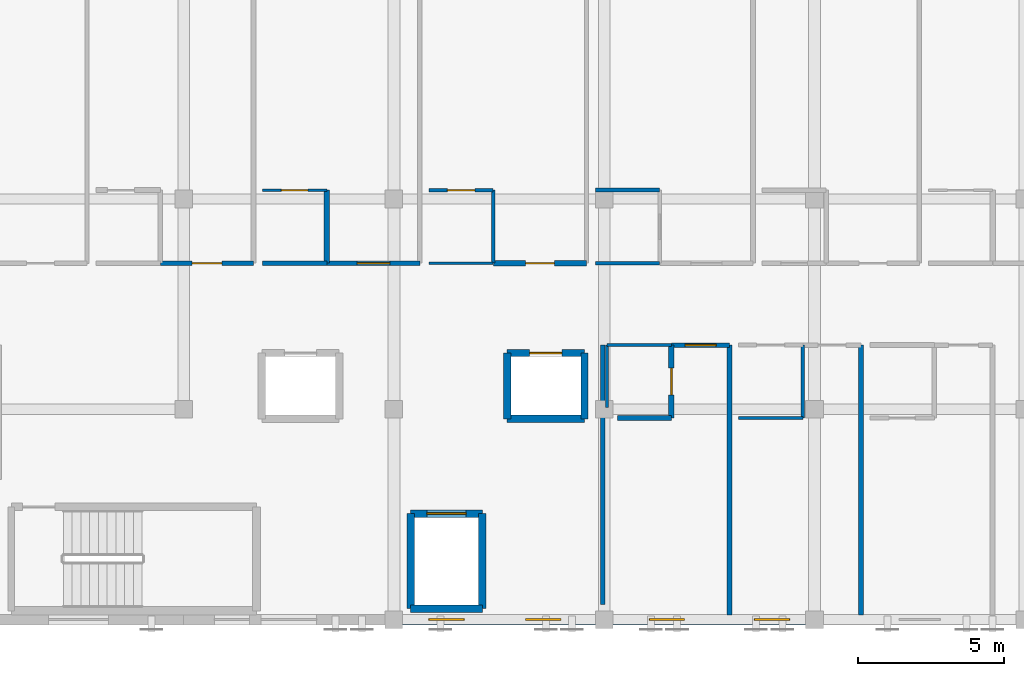
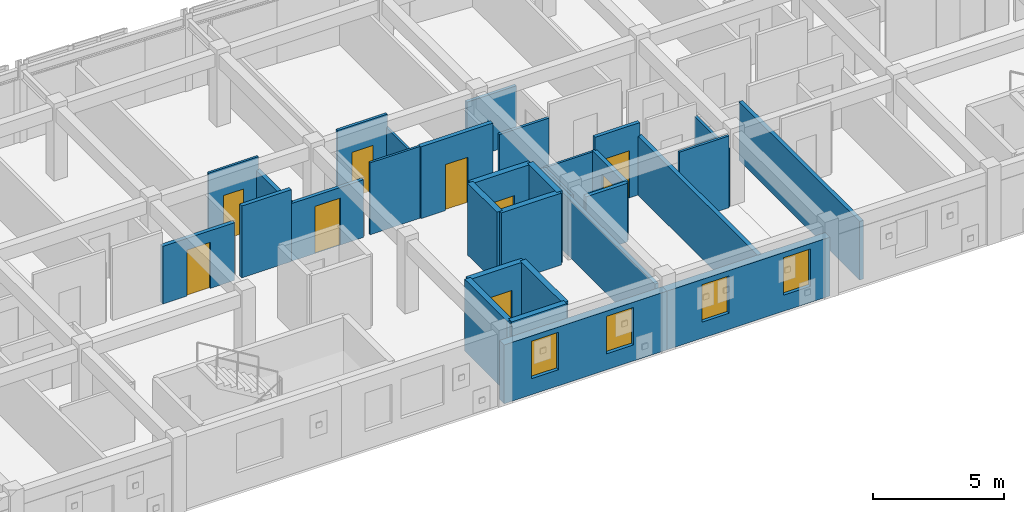
# One storey, part 43 of 51: 31 walls, 9 doors, 4 windows, 13 openings.
"""IFC4 building model written with IfcOpenShell, lengths in metres."""

from ifc_helpers import new_model, si_unit, direction, frame, frame_2d, origin, place, context, subcontext, project, spatial, rectangle, extrude, material, layer, layer_set, type_object, element, fill, save


model = new_model("IFC4")

# Units and contexts
model_context = context("Model", 3, precision=1e-05, world=origin(), true_north=direction((0.0, 1.0)))
body_context = subcontext(model_context, "Body", "Model", "MODEL_VIEW")
ifc_project = project(units=[si_unit("LENGTHUNIT", "METRE"), si_unit("AREAUNIT", "SQUARE_METRE"), si_unit("VOLUMEUNIT", "CUBIC_METRE"), si_unit("PLANEANGLEUNIT", "RADIAN"), si_unit("MASSUNIT", "GRAM", prefix="KILO")], contexts=[model_context])

# Site, building, storey
site_placement = place(None, origin())
site = spatial("IfcSite", under=ifc_project, at=site_placement, CompositionType="ELEMENT")
building_placement = place(site_placement, origin())
building = spatial("IfcBuilding", under=site, at=building_placement, Name="Carrowvane Square Congress Hotel", CompositionType="ELEMENT")
storey_placement = place(building_placement, frame((0.0, 0.0, 30.0)))
storey = spatial("IfcBuildingStorey", under=building, at=storey_placement, Name="L07", CompositionType="ELEMENT", Elevation=30.0)

# Wall, openings, windows
ifc_material_1 = material(Name="Glazed terracotta rainscreen", Category="masonry")
ifc_layer_1 = layer(ifc_material_1, 0.360107421875)
ifc_layer_set_1 = layer_set([ifc_layer_1], Name="Glazed terracotta rainscreen")
wall_type_1 = type_object("IfcWallType", Name="WL-EXT-TC360", PredefinedType="STANDARD", material=ifc_layer_set_1)
wall_1_placement = place(storey_placement, frame((126.800048828125, 91.800048828125, 0.0), z_axis=(0.0, 0.0, 1.0), x_axis=(-1.0, 0.0, 0.0)))
wall_1 = element("IfcWall", 1, at=wall_1_placement, inside=storey, type_object=wall_type_1, Name="L07 exterior facade wall 519", PredefinedType="STANDARD", context=body_context, shape_type="SweptSolid", body=[
    extrude(rectangle(XDim=7.199951171875, YDim=0.360107421875, at=frame_2d((3.60009765625, 0.0))), origin(), (0.0, 0.0, 1.0), 2.7451171875),
])
opening_1_placement = place(wall_1_placement, frame((0.85498046875, 0.0, 0.75)))
opening_1 = element("IfcOpeningElement", 2, at=opening_1_placement, cuts=wall_1, Name="Opening W-01", PredefinedType="OPENING", context=body_context, shape_type="SweptSolid", body=[
    extrude(rectangle(XDim=1.199951171875, YDim=1.75, at=frame_2d((0.60009765625, 0.875))), frame((0.0, 0.18994140625, 0.0), z_axis=(0.0, -1.0, 0.0), x_axis=(1.0, 0.0, 0.0)), (0.0, 0.0, 1.0), 0.380126953125),
])
opening_2_placement = place(wall_1_placement, frame((4.455078125, 0.0, 0.75)))
opening_2 = element("IfcOpeningElement", 3, at=opening_2_placement, cuts=wall_1, Name="Opening W-01", PredefinedType="OPENING", context=body_context, shape_type="SweptSolid", body=[
    extrude(rectangle(XDim=1.199951171875, YDim=1.75, at=frame_2d((0.60009765625, 0.875))), frame((0.0, 0.18994140625, 0.0), z_axis=(0.0, -1.0, 0.0), x_axis=(1.0, 0.0, 0.0)), (0.0, 0.0, 1.0), 0.380126953125),
])
ifc_material_2 = material(Name="Double-glazed low-E glass", Category="glass")
window_type = type_object("IfcWindowType", Name="WIN-01", PartitioningType="SINGLE_PANEL", PredefinedType="WINDOW", material=ifc_material_2)
window_1_placement = place(opening_1_placement, origin())
window_1 = element("IfcWindow", 4, at=window_1_placement, inside=storey, type_object=window_type, Name="L07 facade window 353", OverallHeight=1.75, OverallWidth=1.199951171875, PartitioningType="SINGLE_PANEL", PredefinedType="WINDOW", context=body_context, shape_type="SweptSolid", body=[
    extrude(rectangle(XDim=1.199951171875, YDim=1.75, at=frame_2d((0.60009765625, 0.875))), frame((0.0, 0.030029296875, 0.0), z_axis=(0.0, -1.0, 0.0), x_axis=(1.0, 0.0, 0.0)), (0.0, 0.0, 1.0), 0.06005859375),
])
fill(opening_1, window_1)
window_2_placement = place(opening_2_placement, origin())
window_2 = element("IfcWindow", 5, at=window_2_placement, inside=storey, type_object=window_type, Name="L07 split-bay facade window WIN-L07-0353-1", OverallHeight=1.75, OverallWidth=1.199951171875, PartitioningType="SINGLE_PANEL", PredefinedType="WINDOW", context=body_context, shape_type="SweptSolid", body=[
    extrude(rectangle(XDim=1.199951171875, YDim=1.75, at=frame_2d((0.60009765625, 0.875))), frame((0.0, 0.030029296875, 0.0), z_axis=(0.0, -1.0, 0.0), x_axis=(1.0, 0.0, 0.0)), (0.0, 0.0, 1.0), 0.06005859375),
])
fill(opening_2, window_2)

wall_2_placement = place(storey_placement, frame((119.60009765625, 91.800048828125, 0.0), z_axis=(0.0, 0.0, 1.0), x_axis=(-1.0, 0.0, 0.0)))
wall_2 = element("IfcWall", 6, at=wall_2_placement, inside=storey, type_object=wall_type_1, Name="L07 exterior facade wall 520", PredefinedType="STANDARD", context=body_context, shape_type="SweptSolid", body=[
    extrude(rectangle(XDim=7.2001953125, YDim=0.360107421875, at=frame_2d((3.60009765625, 0.0))), origin(), (0.0, 0.0, 1.0), 2.7451171875),
])
opening_3_placement = place(wall_2_placement, frame((1.487548828125, 0.0, 0.75)))
opening_3 = element("IfcOpeningElement", 7, at=opening_3_placement, cuts=wall_2, Name="Opening W-01", PredefinedType="OPENING", context=body_context, shape_type="SweptSolid", body=[
    extrude(rectangle(XDim=1.199951171875, YDim=1.75, at=frame_2d((0.60009765625, 0.875))), frame((0.0, 0.18994140625, 0.0), z_axis=(0.0, -1.0, 0.0), x_axis=(1.0, 0.0, 0.0)), (0.0, 0.0, 1.0), 0.380126953125),
])
opening_4_placement = place(wall_2_placement, frame((4.800048828125, 0.0, 0.75)))
opening_4 = element("IfcOpeningElement", 8, at=opening_4_placement, cuts=wall_2, Name="Opening W-01", PredefinedType="OPENING", context=body_context, shape_type="SweptSolid", body=[
    extrude(rectangle(XDim=1.199951171875, YDim=1.75, at=frame_2d((0.60009765625, 0.875))), frame((0.0, 0.18994140625, 0.0), z_axis=(0.0, -1.0, 0.0), x_axis=(1.0, 0.0, 0.0)), (0.0, 0.0, 1.0), 0.380126953125),
])
window_3_placement = place(opening_3_placement, origin())
window_3 = element("IfcWindow", 9, at=window_3_placement, inside=storey, type_object=window_type, Name="L07 facade window 354", OverallHeight=1.75, OverallWidth=1.199951171875, PartitioningType="SINGLE_PANEL", PredefinedType="WINDOW", context=body_context, shape_type="SweptSolid", body=[
    extrude(rectangle(XDim=1.199951171875, YDim=1.75, at=frame_2d((0.60009765625, 0.875))), frame((0.0, 0.030029296875, 0.0), z_axis=(0.0, -1.0, 0.0), x_axis=(1.0, 0.0, 0.0)), (0.0, 0.0, 1.0), 0.06005859375),
])
fill(opening_3, window_3)
window_4_placement = place(opening_4_placement, origin())
window_4 = element("IfcWindow", 10, at=window_4_placement, inside=storey, type_object=window_type, Name="L07 split-bay facade window WIN-L07-0354-1", OverallHeight=1.75, OverallWidth=1.199951171875, PartitioningType="SINGLE_PANEL", PredefinedType="WINDOW", context=body_context, shape_type="SweptSolid", body=[
    extrude(rectangle(XDim=1.199951171875, YDim=1.75, at=frame_2d((0.60009765625, 0.875))), frame((0.0, 0.030029296875, 0.0), z_axis=(0.0, -1.0, 0.0), x_axis=(1.0, 0.0, 0.0)), (0.0, 0.0, 1.0), 0.06005859375),
])
fill(opening_4, window_4)

# Wall, opening, door
ifc_material_3 = material(Name="Acoustic gypsum board", Category="gypsum")
ifc_layer_2 = layer(ifc_material_3, 0.155029296875)
ifc_layer_set_2 = layer_set([ifc_layer_2], Name="Acoustic gypsum board")
wall_type_2 = type_object("IfcWallType", Name="WL-FIR-155", PredefinedType="PARTITIONING", material=ifc_layer_set_2)
wall_3_placement = place(storey_placement, frame((121.909912109375, 101.199951171875, 0.0), z_axis=(0.0, 0.0, 1.0), x_axis=(1.0, 0.0, 0.0)))
wall_3 = element("IfcWall", 11, at=wall_3_placement, inside=storey, type_object=wall_type_2, Name="L07 Hotel Guest Bedroom 0707 partition", PredefinedType="PARTITIONING", context=body_context, shape_type="SweptSolid", body=[
    extrude(rectangle(XDim=1.97998046875, YDim=0.155029296875, at=frame_2d((0.989990234375, 0.0))), origin(), (0.0, 0.0, 1.0), 3.360107421875),
])
opening_5_placement = place(wall_3_placement, frame((0.4599609375, 0.0, 0.0)))
opening_5 = element("IfcOpeningElement", 12, at=opening_5_placement, cuts=wall_3, Name="Opening FD-09", PredefinedType="OPENING", context=body_context, shape_type="SweptSolid", body=[
    extrude(rectangle(XDim=1.06005859375, YDim=2.199951171875, at=frame_2d((0.530029296875, 1.10009765625))), frame((0.0, 0.08740234375, 0.0), z_axis=(0.0, -1.0, 0.0), x_axis=(1.0, 0.0, 0.0)), (0.0, 0.0, 1.0), 0.175048828125),
])
ifc_material_4 = material(Name="European oak timber", Category="wood")
door_type_1 = type_object("IfcDoorType", Name="DR-FD30-1060x2200", OperationType="NOTDEFINED", PredefinedType="DOOR", material=ifc_material_4)
door_1_placement = place(opening_5_placement, origin())
door_1 = element("IfcDoor", 13, at=door_1_placement, inside=storey, type_object=door_type_1, Name="L07 Hotel Guest Bedroom 0707 entrance door", OperationType="SINGLE_SWING_RIGHT", OverallHeight=2.199951171875, OverallWidth=1.06005859375, PredefinedType="DOOR", context=body_context, shape_type="SweptSolid", body=[
    extrude(rectangle(XDim=1.06005859375, YDim=2.199951171875, at=frame_2d((0.530029296875, 1.10009765625))), frame((0.0, 0.02490234375, 0.0), z_axis=(0.0, -1.0, 0.0), x_axis=(1.0, 0.0, 0.0)), (0.0, 0.0, 1.0), 0.050048828125),
])
fill(opening_5, door_1)

# Walls
ifc_material_5 = material(Name="Acoustic gypsum board", Category="gypsum")
ifc_layer_3 = layer(ifc_material_5, 0.169921875)
ifc_layer_set_3 = layer_set([ifc_layer_3], Name="Acoustic gypsum board")
wall_type_3 = type_object("IfcWallType", Name="WL-FIR-170", PredefinedType="PARTITIONING", material=ifc_layer_set_3)
wall_4_placement = place(storey_placement, frame((121.89990234375, 98.699951171875, 0.0), z_axis=(0.0, 0.0, 1.0), x_axis=(-1.0, 0.0, 0.0)))
element("IfcWall", 14, at=wall_4_placement, inside=storey, type_object=wall_type_3, Name="L07 En-suite Bathroom 0707 partition", PredefinedType="PARTITIONING", context=body_context, shape_type="SweptSolid", body=[
    extrude(rectangle(XDim=1.83984375, YDim=0.169921875, at=frame_2d((0.919921875, 0.0))), origin(), (0.0, 0.0, 1.0), 2.7451171875),
])
wall_5_placement = place(storey_placement, frame((119.550048828125, 92.320068359375, 0.0), z_axis=(0.0, 0.0, 1.0), x_axis=(0.0, 1.0, 0.0)))
element("IfcWall", 15, at=wall_5_placement, inside=storey, type_object=wall_type_3, Name="L07 Hotel Guest Bedroom 0707 partition", PredefinedType="PARTITIONING", context=body_context, shape_type="SweptSolid", body=[
    extrude(rectangle(XDim=8.8798828125, YDim=0.169921875, at=frame_2d((4.43994140625, 0.0))), origin(), (0.0, 0.0, 1.0), 2.695068359375),
])
wall_6_placement = place(storey_placement, frame((128.389892578125, 101.199951171875, 0.0), z_axis=(0.0, 0.0, 1.0), x_axis=(0.0, -1.0, 0.0)))
element("IfcWall", 16, at=wall_6_placement, inside=storey, type_object=wall_type_3, Name="L07 Hotel Guest Bedroom 0708 partition", PredefinedType="PARTITIONING", context=body_context, shape_type="SweptSolid", body=[
    extrude(rectangle(XDim=9.239990234375, YDim=0.169921875, at=frame_2d((4.6201171875, 0.0))), origin(), (0.0, 0.0, 1.0), 2.7451171875),
])

# Wall, opening, door
wall_7_placement = place(storey_placement, frame((107.590087890625, 104.0, 0.0), z_axis=(0.0, 0.0, 1.0), x_axis=(-1.0, 0.0, 0.0)))
wall_7 = element("IfcWall", 17, at=wall_7_placement, inside=storey, type_object=wall_type_3, Name="L07 Parkview Suite 0719 partition", PredefinedType="PARTITIONING", context=body_context, shape_type="SweptSolid", body=[
    extrude(rectangle(XDim=3.18017578125, YDim=0.169921875, at=frame_2d((1.590087890625, 0.0))), origin(), (0.0, 0.0, 1.0), 2.695068359375),
])
opening_6_placement = place(wall_7_placement, frame((1.080078125, 0.0, 0.0)))
opening_6 = element("IfcOpeningElement", 18, at=opening_6_placement, cuts=wall_7, Name="Opening FD-08", PredefinedType="OPENING", context=body_context, shape_type="SweptSolid", body=[
    extrude(rectangle(XDim=1.02001953125, YDim=2.14990234375, at=frame_2d((0.510009765625, 1.074951171875))), frame((0.0, 0.094970703125, 0.0), z_axis=(0.0, -1.0, 0.0), x_axis=(1.0, 0.0, 0.0)), (0.0, 0.0, 1.0), 0.18994140625),
])
ifc_material_6 = material(Name="European oak timber", Category="wood")
door_type_2 = type_object("IfcDoorType", Name="DR-FD30-1020x2150", OperationType="NOTDEFINED", PredefinedType="DOOR", material=ifc_material_6)
door_2_placement = place(opening_6_placement, origin())
door_2 = element("IfcDoor", 19, at=door_2_placement, inside=storey, type_object=door_type_2, Name="L07 Parkview Suite 0719 entrance door", OperationType="SINGLE_SWING_RIGHT", OverallHeight=2.14990234375, OverallWidth=1.02001953125, PredefinedType="DOOR", context=body_context, shape_type="SweptSolid", body=[
    extrude(rectangle(XDim=1.02001953125, YDim=2.14990234375, at=frame_2d((0.510009765625, 1.074951171875))), frame((0.0, 0.02490234375, 0.0), z_axis=(0.0, -1.0, 0.0), x_axis=(1.0, 0.0, 0.0)), (0.0, 0.0, 1.0), 0.050048828125),
])
fill(opening_6, door_2)

# Wall
wall_8_placement = place(storey_placement, frame((110.10009765625, 104.0, 0.0), z_axis=(0.0, 0.0, 1.0), x_axis=(-1.0, 0.0, 0.0)))
element("IfcWall", 20, at=wall_8_placement, inside=storey, type_object=wall_type_3, Name="L07 En-suite Bathroom 0720 partition", PredefinedType="PARTITIONING", context=body_context, shape_type="SweptSolid", body=[
    extrude(rectangle(XDim=2.2001953125, YDim=0.169921875, at=frame_2d((1.10009765625, 0.0))), origin(), (0.0, 0.0, 1.0), 3.360107421875),
])

# Wall, opening, door
ifc_material_7 = material(Name="Acoustic gypsum board", Category="gypsum")
ifc_layer_4 = layer(ifc_material_7, 0.18505859375)
ifc_layer_set_4 = layer_set([ifc_layer_4], Name="Acoustic gypsum board")
wall_type_4 = type_object("IfcWallType", Name="WL-FIR-185", PredefinedType="PARTITIONING", material=ifc_layer_set_4)
wall_9_placement = place(storey_placement, frame((121.89990234375, 101.199951171875, 0.0), z_axis=(0.0, 0.0, 1.0), x_axis=(0.0, -1.0, 0.0)))
wall_9 = element("IfcWall", 21, at=wall_9_placement, inside=storey, type_object=wall_type_4, Name="L07 En-suite Bathroom 0707 partition", PredefinedType="PARTITIONING", context=body_context, shape_type="SweptSolid", body=[
    extrude(rectangle(XDim=2.5, YDim=0.18505859375, at=frame_2d((1.25, 0.0))), origin(), (0.0, 0.0, 1.0), 2.7451171875),
])
opening_7_placement = place(wall_9_placement, frame((0.7900390625, 0.0, 0.0)))
opening_7 = element("IfcOpeningElement", 22, at=opening_7_placement, cuts=wall_9, Name="Opening ID-03", PredefinedType="OPENING", context=body_context, shape_type="SweptSolid", body=[
    extrude(rectangle(XDim=0.919921875, YDim=2.10009765625, at=frame_2d((0.4599609375, 1.050048828125))), frame((0.0, 0.1025390625, 0.0), z_axis=(0.0, -1.0, 0.0), x_axis=(1.0, 0.0, 0.0)), (0.0, 0.0, 1.0), 0.205078125),
])
ifc_material_8 = material(Name="European oak timber", Category="wood")
door_type_3 = type_object("IfcDoorType", Name="DR-INT-0920x2100", OperationType="NOTDEFINED", PredefinedType="DOOR", material=ifc_material_8)
door_3_placement = place(opening_7_placement, origin())
door_3 = element("IfcDoor", 23, at=door_3_placement, inside=storey, type_object=door_type_3, Name="L07 En-suite Bathroom 0707 door", OperationType="SINGLE_SWING_LEFT", OverallHeight=2.10009765625, OverallWidth=0.919921875, PredefinedType="DOOR", context=body_context, shape_type="SweptSolid", body=[
    extrude(rectangle(XDim=0.919921875, YDim=2.10009765625, at=frame_2d((0.4599609375, 1.050048828125))), frame((0.0, 0.02490234375, 0.0), z_axis=(0.0, -1.0, 0.0), x_axis=(1.0, 0.0, 0.0)), (0.0, 0.0, 1.0), 0.050048828125),
])
fill(opening_7, door_3)

# Walls
wall_10_placement = place(storey_placement, frame((123.889892578125, 101.199951171875, 0.0), z_axis=(0.0, 0.0, 1.0), x_axis=(0.0, -1.0, 0.0)))
element("IfcWall", 24, at=wall_10_placement, inside=storey, type_object=wall_type_4, Name="L07 Hotel Guest Bedroom 0707 partition", PredefinedType="PARTITIONING", context=body_context, shape_type="SweptSolid", body=[
    extrude(rectangle(XDim=9.239990234375, YDim=0.18505859375, at=frame_2d((4.6201171875, 0.0))), origin(), (0.0, 0.0, 1.0), 2.7451171875),
])
wall_11_placement = place(storey_placement, frame((110.10009765625, 106.5, 0.0), z_axis=(0.0, 0.0, 1.0), x_axis=(0.0, -1.0, 0.0)))
element("IfcWall", 25, at=wall_11_placement, inside=storey, type_object=wall_type_4, Name="L07 En-suite Bathroom 0720 partition", PredefinedType="PARTITIONING", context=body_context, shape_type="SweptSolid", body=[
    extrude(rectangle(XDim=2.5, YDim=0.18505859375, at=frame_2d((1.25, 0.0))), origin(), (0.0, 0.0, 1.0), 2.7451171875),
])

# Wall, opening, door
wall_12_placement = place(storey_placement, frame((118.989990234375, 104.0, 0.0), z_axis=(0.0, 0.0, 1.0), x_axis=(-1.0, 0.0, 0.0)))
wall_12 = element("IfcWall", 26, at=wall_12_placement, inside=storey, type_object=wall_type_4, Name="L07 Parkview Suite 0721 partition", PredefinedType="PARTITIONING", context=body_context, shape_type="SweptSolid", body=[
    extrude(rectangle(XDim=3.179931640625, YDim=0.18505859375, at=frame_2d((1.58984375, 0.0))), origin(), (0.0, 0.0, 1.0), 3.360107421875),
])
opening_8_placement = place(wall_12_placement, frame((1.10009765625, 0.0, 0.0)))
opening_8 = element("IfcOpeningElement", 27, at=opening_8_placement, cuts=wall_12, Name="Opening FD-07", PredefinedType="OPENING", context=body_context, shape_type="SweptSolid", body=[
    extrude(rectangle(XDim=0.97998046875, YDim=2.14990234375, at=frame_2d((0.489990234375, 1.074951171875))), frame((0.0, 0.1025390625, 0.0), z_axis=(0.0, -1.0, 0.0), x_axis=(1.0, 0.0, 0.0)), (0.0, 0.0, 1.0), 0.205078125),
])
ifc_material_9 = material(Name="European oak timber", Category="wood")
door_type_4 = type_object("IfcDoorType", Name="DR-FD30-0980x2150", OperationType="NOTDEFINED", PredefinedType="DOOR", material=ifc_material_9)
door_4_placement = place(opening_8_placement, origin())
door_4 = element("IfcDoor", 28, at=door_4_placement, inside=storey, type_object=door_type_4, Name="L07 Parkview Suite 0721 entrance door", OperationType="SINGLE_SWING_RIGHT", OverallHeight=2.14990234375, OverallWidth=0.97998046875, PredefinedType="DOOR", context=body_context, shape_type="SweptSolid", body=[
    extrude(rectangle(XDim=0.97998046875, YDim=2.14990234375, at=frame_2d((0.489990234375, 1.074951171875))), frame((0.0, 0.02490234375, 0.0), z_axis=(0.0, -1.0, 0.0), x_axis=(1.0, 0.0, 0.0)), (0.0, 0.0, 1.0), 0.050048828125),
])
fill(opening_8, door_4)

# Wall
ifc_material_10 = material(Name="Acoustic gypsum board", Category="gypsum")
ifc_layer_5 = layer(ifc_material_10, 0.097900390625)
ifc_layer_set_5 = layer_set([ifc_layer_5], Name="Acoustic gypsum board")
wall_type_5 = type_object("IfcWallType", Name="WL-PRT-098", PredefinedType="PARTITIONING", material=ifc_layer_set_5)
wall_13_placement = place(storey_placement, frame((119.699951171875, 101.199951171875, 0.0), z_axis=(0.0, 0.0, 1.0), x_axis=(1.0, 0.0, 0.0)))
element("IfcWall", 29, at=wall_13_placement, inside=storey, type_object=wall_type_5, Name="L07 En-suite Bathroom 0707 partition", PredefinedType="PARTITIONING", context=body_context, shape_type="SweptSolid", body=[
    extrude(rectangle(XDim=2.199951171875, YDim=0.097900390625, at=frame_2d((1.10009765625, 0.0))), origin(), (0.0, 0.0, 1.0), 2.695068359375),
])

# Wall, opening, door
wall_14_placement = place(storey_placement, frame((107.89990234375, 106.5, 0.0), z_axis=(0.0, 0.0, 1.0), x_axis=(1.0, 0.0, 0.0)))
wall_14 = element("IfcWall", 30, at=wall_14_placement, inside=storey, type_object=wall_type_5, Name="L07 En-suite Bathroom 0720 partition", PredefinedType="PARTITIONING", context=body_context, shape_type="SweptSolid", body=[
    extrude(rectangle(XDim=2.2001953125, YDim=0.097900390625, at=frame_2d((1.10009765625, 0.0))), origin(), (0.0, 0.0, 1.0), 3.360107421875),
])
opening_9_placement = place(wall_14_placement, frame((0.64990234375, 0.0, 0.0)))
opening_9 = element("IfcOpeningElement", 31, at=opening_9_placement, cuts=wall_14, Name="Opening ID-02", PredefinedType="OPENING", context=body_context, shape_type="SweptSolid", body=[
    extrude(rectangle(XDim=0.89990234375, YDim=2.080078125, at=frame_2d((0.449951171875, 1.0400390625))), frame((0.0, 0.058837890625, 0.0), z_axis=(0.0, -1.0, 0.0), x_axis=(1.0, 0.0, 0.0)), (0.0, 0.0, 1.0), 0.117919921875),
])
ifc_material_11 = material(Name="European oak timber", Category="wood")
door_type_5 = type_object("IfcDoorType", Name="DR-INT-0900x2080", OperationType="NOTDEFINED", PredefinedType="DOOR", material=ifc_material_11)
door_5_placement = place(opening_9_placement, origin())
door_5 = element("IfcDoor", 32, at=door_5_placement, inside=storey, type_object=door_type_5, Name="L07 En-suite Bathroom 0720 door", OperationType="SINGLE_SWING_LEFT", OverallHeight=2.080078125, OverallWidth=0.89990234375, PredefinedType="DOOR", context=body_context, shape_type="SweptSolid", body=[
    extrude(rectangle(XDim=0.89990234375, YDim=2.080078125, at=frame_2d((0.449951171875, 1.0400390625))), frame((0.0, 0.02490234375, 0.0), z_axis=(0.0, -1.0, 0.0), x_axis=(1.0, 0.0, 0.0)), (0.0, 0.0, 1.0), 0.050048828125),
])
fill(opening_9, door_5)

# Walls
wall_15_placement = place(storey_placement, frame((115.800048828125, 104.0, 0.0), z_axis=(0.0, 0.0, 1.0), x_axis=(-1.0, 0.0, 0.0)))
element("IfcWall", 33, at=wall_15_placement, inside=storey, type_object=wall_type_5, Name="L07 En-suite Bathroom 0721 partition", PredefinedType="PARTITIONING", context=body_context, shape_type="SweptSolid", body=[
    extrude(rectangle(XDim=2.199951171875, YDim=0.097900390625, at=frame_2d((1.10009765625, 0.0))), origin(), (0.0, 0.0, 1.0), 3.360107421875),
])
ifc_material_12 = material(Name="Acoustic gypsum board", Category="gypsum")
ifc_layer_6 = layer(ifc_material_12, 0.10791015625)
ifc_layer_set_6 = layer_set([ifc_layer_6], Name="Acoustic gypsum board")
wall_type_6 = type_object("IfcWallType", Name="WL-PRT-108", PredefinedType="PARTITIONING", material=ifc_layer_set_6)
wall_16_placement = place(storey_placement, frame((119.699951171875, 99.06005859375, 0.0), z_axis=(0.0, 0.0, 1.0), x_axis=(0.0, 1.0, 0.0)))
element("IfcWall", 34, at=wall_16_placement, inside=storey, type_object=wall_type_6, Name="L07 En-suite Bathroom 0707 partition", PredefinedType="PARTITIONING", context=body_context, shape_type="SweptSolid", body=[
    extrude(rectangle(XDim=2.139892578125, YDim=0.10791015625, at=frame_2d((1.06982421875, 0.0))), origin(), (0.0, 0.0, 1.0), 2.695068359375),
])
wall_17_placement = place(storey_placement, frame((126.39990234375, 98.699951171875, 0.0), z_axis=(0.0, 0.0, 1.0), x_axis=(-1.0, 0.0, 0.0)))
element("IfcWall", 35, at=wall_17_placement, inside=storey, type_object=wall_type_6, Name="L07 En-suite Bathroom 0708 partition", PredefinedType="PARTITIONING", context=body_context, shape_type="SweptSolid", body=[
    extrude(rectangle(XDim=2.199951171875, YDim=0.10791015625, at=frame_2d((1.10009765625, 0.0))), origin(), (0.0, 0.0, 1.0), 3.360107421875),
])
wall_18_placement = place(storey_placement, frame((115.800048828125, 106.5, 0.0), z_axis=(0.0, 0.0, 1.0), x_axis=(0.0, -1.0, 0.0)))
element("IfcWall", 36, at=wall_18_placement, inside=storey, type_object=wall_type_6, Name="L07 En-suite Bathroom 0721 partition", PredefinedType="PARTITIONING", context=body_context, shape_type="SweptSolid", body=[
    extrude(rectangle(XDim=2.5, YDim=0.10791015625, at=frame_2d((1.25, 0.0))), origin(), (0.0, 0.0, 1.0), 2.7451171875),
])
ifc_material_13 = material(Name="Acoustic gypsum board", Category="gypsum")
ifc_layer_7 = layer(ifc_material_13, 0.117919921875)
ifc_layer_set_7 = layer_set([ifc_layer_7], Name="Acoustic gypsum board")
wall_type_7 = type_object("IfcWallType", Name="WL-PRT-118", PredefinedType="PARTITIONING", material=ifc_layer_set_7)
wall_19_placement = place(storey_placement, frame((126.39990234375, 101.199951171875, 0.0), z_axis=(0.0, 0.0, 1.0), x_axis=(0.0, -1.0, 0.0)))
element("IfcWall", 37, at=wall_19_placement, inside=storey, type_object=wall_type_7, Name="L07 En-suite Bathroom 0708 partition", PredefinedType="PARTITIONING", context=body_context, shape_type="SweptSolid", body=[
    extrude(rectangle(XDim=2.5, YDim=0.117919921875, at=frame_2d((1.25, 0.0))), origin(), (0.0, 0.0, 1.0), 2.7451171875),
])

# Wall, opening, door
wall_20_placement = place(storey_placement, frame((113.60009765625, 106.5, 0.0), z_axis=(0.0, 0.0, 1.0), x_axis=(1.0, 0.0, 0.0)))
wall_20 = element("IfcWall", 38, at=wall_20_placement, inside=storey, type_object=wall_type_7, Name="L07 En-suite Bathroom 0721 partition", PredefinedType="PARTITIONING", context=body_context, shape_type="SweptSolid", body=[
    extrude(rectangle(XDim=2.199951171875, YDim=0.117919921875, at=frame_2d((1.10009765625, 0.0))), origin(), (0.0, 0.0, 1.0), 3.360107421875),
])
opening_10_placement = place(wall_20_placement, frame((0.6298828125, 0.0, 0.0)))
opening_10 = element("IfcOpeningElement", 39, at=opening_10_placement, cuts=wall_20, Name="Opening ID-04", PredefinedType="OPENING", context=body_context, shape_type="SweptSolid", body=[
    extrude(rectangle(XDim=0.93994140625, YDim=2.1201171875, at=frame_2d((0.469970703125, 1.06005859375))), frame((0.0, 0.06884765625, 0.0), z_axis=(0.0, -1.0, 0.0), x_axis=(1.0, 0.0, 0.0)), (0.0, 0.0, 1.0), 0.137939453125),
])
ifc_material_14 = material(Name="European oak timber", Category="wood")
door_type_6 = type_object("IfcDoorType", Name="DR-INT-0940x2120", OperationType="NOTDEFINED", PredefinedType="DOOR", material=ifc_material_14)
door_6_placement = place(opening_10_placement, origin())
door_6 = element("IfcDoor", 40, at=door_6_placement, inside=storey, type_object=door_type_6, Name="L07 En-suite Bathroom 0721 door", OperationType="SINGLE_SWING_LEFT", OverallHeight=2.1201171875, OverallWidth=0.93994140625, PredefinedType="DOOR", context=body_context, shape_type="SweptSolid", body=[
    extrude(rectangle(XDim=0.93994140625, YDim=2.1201171875, at=frame_2d((0.469970703125, 1.06005859375))), frame((0.0, 0.02490234375, 0.0), z_axis=(0.0, -1.0, 0.0), x_axis=(1.0, 0.0, 0.0)), (0.0, 0.0, 1.0), 0.050048828125),
])
fill(opening_10, door_6)

# Walls
wall_21_placement = place(storey_placement, frame((121.5, 104.0, 0.0), z_axis=(0.0, 0.0, 1.0), x_axis=(-1.0, 0.0, 0.0)))
element("IfcWall", 41, at=wall_21_placement, inside=storey, type_object=wall_type_7, Name="L07 En-suite Bathroom 0722 partition", PredefinedType="PARTITIONING", context=body_context, shape_type="SweptSolid", body=[
    extrude(rectangle(XDim=2.199951171875, YDim=0.117919921875, at=frame_2d((1.10009765625, 0.0))), origin(), (0.0, 0.0, 1.0), 2.695068359375),
])
ifc_material_15 = material(Name="Acoustic gypsum board", Category="gypsum")
ifc_layer_8 = layer(ifc_material_15, 0.137939453125)
ifc_layer_set_8 = layer_set([ifc_layer_8], Name="Acoustic gypsum board")
wall_type_8 = type_object("IfcWallType", Name="WL-PRT-138", PredefinedType="PARTITIONING", material=ifc_layer_set_8)
wall_22_placement = place(storey_placement, frame((119.300048828125, 106.5, 0.0), z_axis=(0.0, 0.0, 1.0), x_axis=(1.0, 0.0, 0.0)))
element("IfcWall", 42, at=wall_22_placement, inside=storey, type_object=wall_type_8, Name="L07 En-suite Bathroom 0722 partition", PredefinedType="PARTITIONING", context=body_context, shape_type="SweptSolid", body=[
    extrude(rectangle(XDim=2.199951171875, YDim=0.137939453125, at=frame_2d((1.10009765625, 0.0))), origin(), (0.0, 0.0, 1.0), 2.695068359375),
])

# Wall, opening, door
ifc_material_16 = material(Name="Acoustic gypsum board", Category="gypsum")
ifc_layer_9 = layer(ifc_material_16, 0.14794921875)
ifc_layer_set_9 = layer_set([ifc_layer_9], Name="Acoustic gypsum board")
wall_type_9 = type_object("IfcWallType", Name="WL-PRT-148", PredefinedType="PARTITIONING", material=ifc_layer_set_9)
wall_23_placement = place(storey_placement, frame((113.2900390625, 104.0, 0.0), z_axis=(0.0, 0.0, 1.0), x_axis=(-1.0, 0.0, 0.0)))
wall_23 = element("IfcWall", 43, at=wall_23_placement, inside=storey, type_object=wall_type_9, Name="L07 Parkview Suite 0720 partition", PredefinedType="PARTITIONING", context=body_context, shape_type="SweptSolid", body=[
    extrude(rectangle(XDim=3.179931640625, YDim=0.14794921875, at=frame_2d((1.58984375, 0.0))), origin(), (0.0, 0.0, 1.0), 2.695068359375),
])
opening_11_placement = place(wall_23_placement, frame((1.030029296875, 0.0, 0.0)))
opening_11 = element("IfcOpeningElement", 44, at=opening_11_placement, cuts=wall_23, Name="Opening FD-10", PredefinedType="OPENING", context=body_context, shape_type="SweptSolid", body=[
    extrude(rectangle(XDim=1.1201171875, YDim=2.199951171875, at=frame_2d((0.56005859375, 1.10009765625))), frame((0.0, 0.083984375, 0.0), z_axis=(0.0, -1.0, 0.0), x_axis=(1.0, 0.0, 0.0)), (0.0, 0.0, 1.0), 0.16796875),
])
ifc_material_17 = material(Name="European oak timber", Category="wood")
door_type_7 = type_object("IfcDoorType", Name="DR-FD30-1120x2200", OperationType="NOTDEFINED", PredefinedType="DOOR", material=ifc_material_17)
door_7_placement = place(opening_11_placement, origin())
door_7 = element("IfcDoor", 45, at=door_7_placement, inside=storey, type_object=door_type_7, Name="L07 Parkview Suite 0720 entrance door", OperationType="SINGLE_SWING_RIGHT", OverallHeight=2.199951171875, OverallWidth=1.1201171875, PredefinedType="DOOR", context=body_context, shape_type="SweptSolid", body=[
    extrude(rectangle(XDim=1.1201171875, YDim=2.199951171875, at=frame_2d((0.56005859375, 1.10009765625))), frame((0.0, 0.02490234375, 0.0), z_axis=(0.0, -1.0, 0.0), x_axis=(1.0, 0.0, 0.0)), (0.0, 0.0, 1.0), 0.050048828125),
])
fill(opening_11, door_7)

# Walls
ifc_material_18 = material(Name="Concrete C40/50", Category="concrete")
ifc_layer_10 = layer(ifc_material_18, 0.25)
ifc_layer_set_10 = layer_set([ifc_layer_10], Name="Concrete C40/50")
wall_type_10 = type_object("IfcWallType", Name="WL-SHR-250", PredefinedType="SHEAR", material=ifc_layer_set_10)
wall_24_placement = place(storey_placement, frame((116.27490234375, 98.675048828125, 0.0), z_axis=(0.0, 0.0, 1.0), x_axis=(1.0, 0.0, 0.0)))
element("IfcWall", 46, at=wall_24_placement, inside=storey, type_object=wall_type_10, Name="L07 HL-4 shaft wall south", PredefinedType="SHEAR", context=body_context, shape_type="SweptSolid", body=[
    extrude(rectangle(XDim=2.650146484375, YDim=0.25, at=frame_2d((1.3251953125, 0.0))), origin(), (0.0, 0.0, 1.0), 3.360107421875),
])
wall_25_placement = place(storey_placement, frame((118.925048828125, 98.675048828125, 0.0), z_axis=(0.0, 0.0, 1.0), x_axis=(0.0, 1.0, 0.0)))
element("IfcWall", 47, at=wall_25_placement, inside=storey, type_object=wall_type_10, Name="L07 HL-4 shaft wall east", PredefinedType="SHEAR", context=body_context, shape_type="SweptSolid", body=[
    extrude(rectangle(XDim=2.25, YDim=0.25, at=frame_2d((1.125, 0.0))), origin(), (0.0, 0.0, 1.0), 3.360107421875),
])

# Wall, opening, door
wall_26_placement = place(storey_placement, frame((118.925048828125, 100.925048828125, 0.0), z_axis=(0.0, 0.0, 1.0), x_axis=(-1.0, 0.0, 0.0)))
wall_26 = element("IfcWall", 48, at=wall_26_placement, inside=storey, type_object=wall_type_10, Name="L07 HL-4 shaft wall north", PredefinedType="SHEAR", context=body_context, shape_type="SweptSolid", body=[
    extrude(rectangle(XDim=2.650146484375, YDim=0.25, at=frame_2d((1.3251953125, 0.0))), origin(), (0.0, 0.0, 1.0), 3.360107421875),
])
opening_12_placement = place(wall_26_placement, frame((0.77490234375, 0.0, 0.0)))
opening_12 = element("IfcOpeningElement", 49, at=opening_12_placement, cuts=wall_26, Name="Opening LD-HL-4", PredefinedType="OPENING", context=body_context, shape_type="SweptSolid", body=[
    extrude(rectangle(XDim=1.10009765625, YDim=2.14990234375, at=frame_2d((0.550048828125, 1.074951171875))), frame((0.0, 0.135009765625, 0.0), z_axis=(0.0, -1.0, 0.0), x_axis=(1.0, 0.0, 0.0)), (0.0, 0.0, 1.0), 0.27001953125),
])
ifc_material_19 = material(Name="Stainless steel 316", Category="steel")
door_type_8 = type_object("IfcDoorType", Name="DR-LD-1100x2150", OperationType="DOUBLE_DOOR_SLIDING", PredefinedType="DOOR", material=ifc_material_19)
door_8_placement = place(opening_12_placement, origin())
door_8 = element("IfcDoor", 50, at=door_8_placement, inside=storey, type_object=door_type_8, Name="L07 HL-4 sliding lift landing door", OperationType="DOUBLE_DOOR_SLIDING", OverallHeight=2.14990234375, OverallWidth=1.10009765625, PredefinedType="DOOR", context=body_context, shape_type="SweptSolid", body=[
    extrude(rectangle(XDim=1.10009765625, YDim=2.14990234375, at=frame_2d((0.550048828125, 1.074951171875))), frame((0.0, 0.02490234375, 0.0), z_axis=(0.0, -1.0, 0.0), x_axis=(1.0, 0.0, 0.0)), (0.0, 0.0, 1.0), 0.050048828125),
])
fill(opening_12, door_8)

# Walls
wall_27_placement = place(storey_placement, frame((116.27490234375, 100.925048828125, 0.0), z_axis=(0.0, 0.0, 1.0), x_axis=(0.0, -1.0, 0.0)))
element("IfcWall", 51, at=wall_27_placement, inside=storey, type_object=wall_type_10, Name="L07 HL-4 shaft wall west", PredefinedType="SHEAR", context=body_context, shape_type="SweptSolid", body=[
    extrude(rectangle(XDim=2.25, YDim=0.25, at=frame_2d((1.125, 0.0))), origin(), (0.0, 0.0, 1.0), 3.360107421875),
])
wall_28_placement = place(storey_placement, frame((112.97509765625, 92.175048828125, 0.0), z_axis=(0.0, 0.0, 1.0), x_axis=(1.0, 0.0, 0.0)))
element("IfcWall", 52, at=wall_28_placement, inside=storey, type_object=wall_type_10, Name="L07 SL-2 shaft wall south", PredefinedType="SHEAR", context=body_context, shape_type="SweptSolid", body=[
    extrude(rectangle(XDim=2.449951171875, YDim=0.25, at=frame_2d((1.22509765625, 0.0))), origin(), (0.0, 0.0, 1.0), 3.360107421875),
])
wall_29_placement = place(storey_placement, frame((115.425048828125, 92.175048828125, 0.0), z_axis=(0.0, 0.0, 1.0), x_axis=(0.0, 1.0, 0.0)))
element("IfcWall", 53, at=wall_29_placement, inside=storey, type_object=wall_type_10, Name="L07 SL-2 shaft wall east", PredefinedType="SHEAR", context=body_context, shape_type="SweptSolid", body=[
    extrude(rectangle(XDim=3.25, YDim=0.25, at=frame_2d((1.625, 0.0))), origin(), (0.0, 0.0, 1.0), 3.360107421875),
])

# Wall, opening, door
wall_30_placement = place(storey_placement, frame((115.425048828125, 95.425048828125, 0.0), z_axis=(0.0, 0.0, 1.0), x_axis=(-1.0, 0.0, 0.0)))
wall_30 = element("IfcWall", 54, at=wall_30_placement, inside=storey, type_object=wall_type_10, Name="L07 SL-2 shaft wall north", PredefinedType="SHEAR", context=body_context, shape_type="SweptSolid", body=[
    extrude(rectangle(XDim=2.449951171875, YDim=0.25, at=frame_2d((1.22509765625, 0.0))), origin(), (0.0, 0.0, 1.0), 3.360107421875),
])
opening_13_placement = place(wall_30_placement, frame((0.550048828125, 0.0, 0.0)))
opening_13 = element("IfcOpeningElement", 55, at=opening_13_placement, cuts=wall_30, Name="Opening LD-SL-2", PredefinedType="OPENING", context=body_context, shape_type="SweptSolid", body=[
    extrude(rectangle(XDim=1.35009765625, YDim=2.199951171875, at=frame_2d((0.675048828125, 1.10009765625))), frame((0.0, 0.135009765625, 0.0), z_axis=(0.0, -1.0, 0.0), x_axis=(1.0, 0.0, 0.0)), (0.0, 0.0, 1.0), 0.27001953125),
])
ifc_material_20 = material(Name="Stainless steel 316", Category="steel")
door_type_9 = type_object("IfcDoorType", Name="DR-LD-1350x2200", OperationType="DOUBLE_DOOR_SLIDING", PredefinedType="DOOR", material=ifc_material_20)
door_9_placement = place(opening_13_placement, origin())
door_9 = element("IfcDoor", 56, at=door_9_placement, inside=storey, type_object=door_type_9, Name="L07 SL-2 sliding lift landing door", OperationType="DOUBLE_DOOR_SLIDING", OverallHeight=2.199951171875, OverallWidth=1.35009765625, PredefinedType="DOOR", context=body_context, shape_type="SweptSolid", body=[
    extrude(rectangle(XDim=1.35009765625, YDim=2.199951171875, at=frame_2d((0.675048828125, 1.10009765625))), frame((0.0, 0.02490234375, 0.0), z_axis=(0.0, -1.0, 0.0), x_axis=(1.0, 0.0, 0.0)), (0.0, 0.0, 1.0), 0.050048828125),
])
fill(opening_13, door_9)

# Wall
wall_31_placement = place(storey_placement, frame((112.97509765625, 95.425048828125, 0.0), z_axis=(0.0, 0.0, 1.0), x_axis=(0.0, -1.0, 0.0)))
element("IfcWall", 57, at=wall_31_placement, inside=storey, type_object=wall_type_10, Name="L07 SL-2 shaft wall west", PredefinedType="SHEAR", context=body_context, shape_type="SweptSolid", body=[
    extrude(rectangle(XDim=3.25, YDim=0.25, at=frame_2d((1.625, 0.0))), origin(), (0.0, 0.0, 1.0), 3.360107421875),
])

save(model, "model.ifc")
